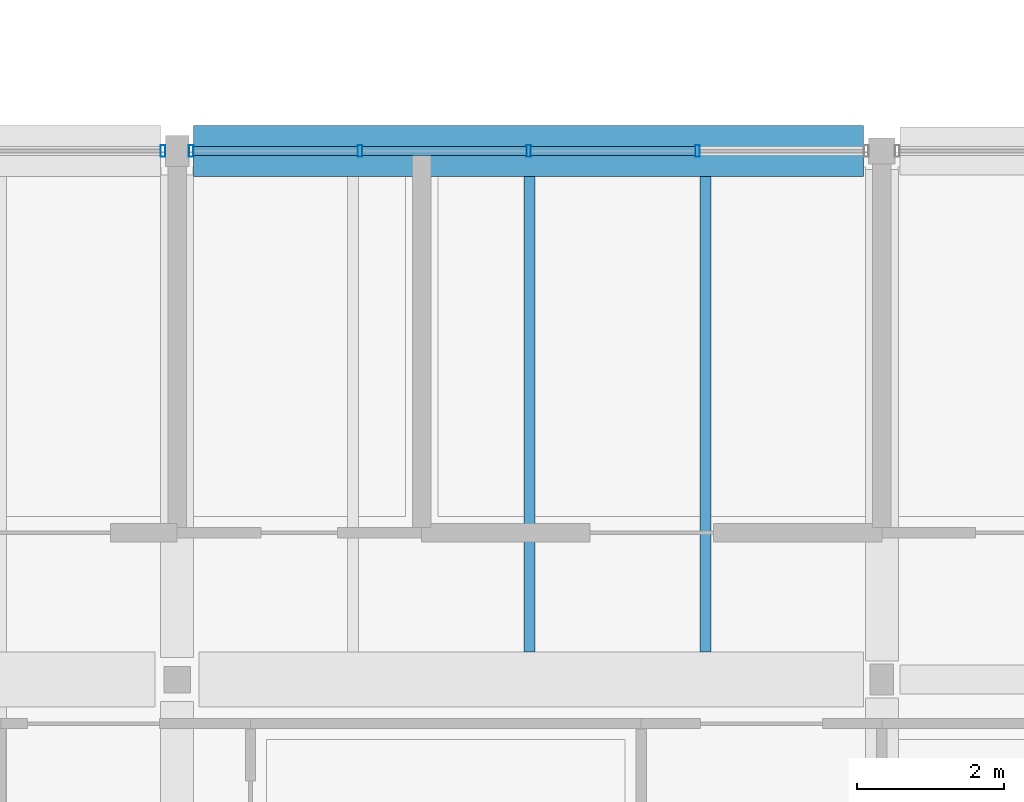
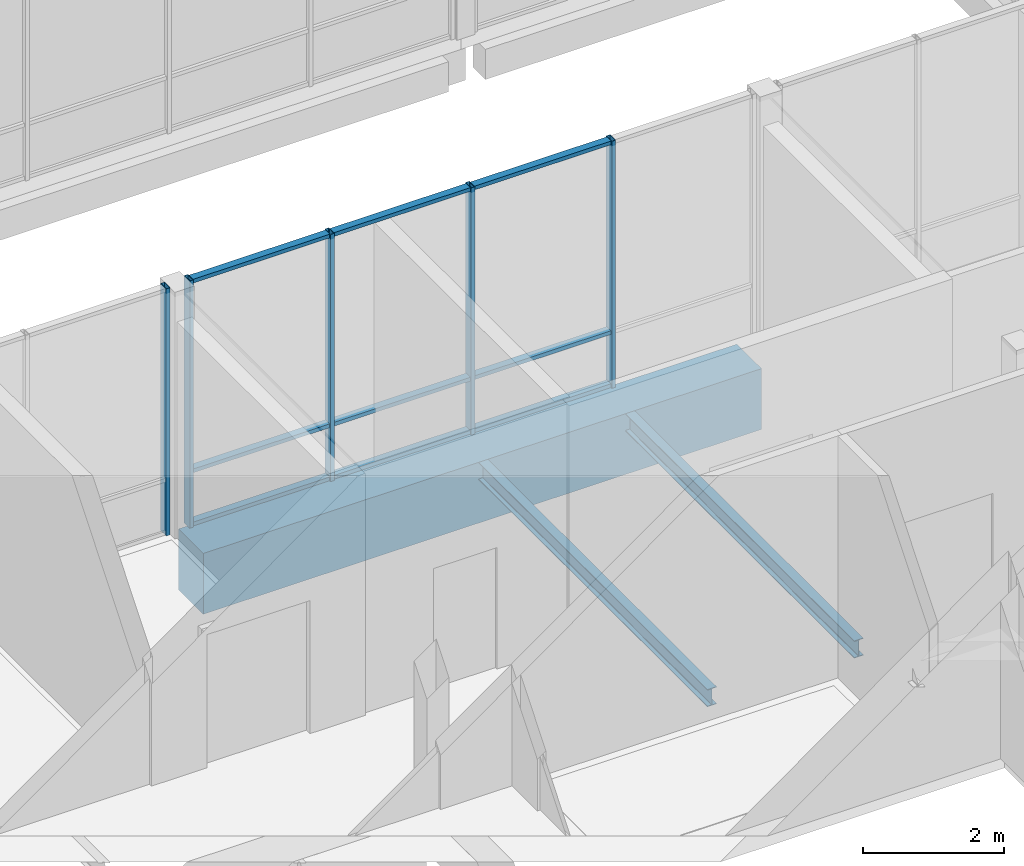
# One storey, part 63 of 146: 14 members, 3 beams, 2 elements without a shape of their own.
"""IFC4 building model written with IfcOpenShell, lengths in metres."""

from ifc_helpers import new_model, si_unit, direction, frame, origin, origin_2d, place, context, subcontext, project, spatial, rectangle, hollow_rectangle, i_section, extrude, material, material_profile, profile_set, type_object, element, aggregate, save


model = new_model("IFC4")

# Units and contexts
model_context = context("Model", 3, precision=1e-05, world=origin(), true_north=direction((0.0, 1.0)))
body_context = subcontext(model_context, "Body", "Model", "MODEL_VIEW")
ifc_project = project(units=[si_unit("LENGTHUNIT", "METRE"), si_unit("AREAUNIT", "SQUARE_METRE"), si_unit("VOLUMEUNIT", "CUBIC_METRE"), si_unit("PLANEANGLEUNIT", "RADIAN"), si_unit("MASSUNIT", "GRAM", prefix="KILO")], contexts=[model_context])

# Site, building, storey
site_placement = place(None, origin())
site = spatial("IfcSite", under=ifc_project, at=site_placement, CompositionType="ELEMENT")
building_placement = place(site_placement, origin())
building = spatial("IfcBuilding", under=site, at=building_placement, Name="Hawrajan Terrace Health Centre", CompositionType="ELEMENT")
storey_placement = place(building_placement, frame((0.0, 0.0, 4.5)))
storey = spatial("IfcBuildingStorey", under=building, at=storey_placement, Name="L01", CompositionType="ELEMENT", Elevation=4.5)

# Curtain wall, member
ifc_material_1 = material(Name="Anodized bronze aluminium and low-E solar glazing", Category="aluminium")
curtain_wall_type_1 = type_object("IfcCurtainWallType", Name="CW_Terrace_SeriesK1", PredefinedType="USERDEFINED", material=ifc_material_1)
curtain_wall_1_placement = place(storey_placement, origin())
curtain_wall_1 = element("IfcCurtainWall", 1, at=curtain_wall_1_placement, inside=storey, type_object=curtain_wall_type_1, Name="Curtain wall CW-L01-093", ObjectType="UNITISED CURTAIN WALL", PredefinedType="USERDEFINED")
ifc_material_2 = material(Name="Anodized bronze aluminium 6063-T6", Category="aluminium")
ifc_material_profile_1 = material_profile(ifc_material_2, hollow_rectangle(XDim=0.06494140625, YDim=0.159912109375, WallThickness=0.00390625, at=origin_2d()), Name="CW MUL 65x160")
ifc_profile_set_1 = profile_set([ifc_material_profile_1], Name="Anodized bronze aluminium 6063-T6")
member_type_1 = type_object("IfcMemberType", Name="CWMullion_65x160", PredefinedType="MULLION", material=ifc_profile_set_1)
member_1_placement = place(storey_placement, frame((90.8076171875, 18.60009765625, -0.0048828125), z_axis=(0.0, 0.0, 1.0), x_axis=(1.0, 0.0, 0.0)))
member_1 = element("IfcMember", 2, at=member_1_placement, type_object=member_type_1, Name="Mullion CW-L01-093-M5", PredefinedType="MULLION", context=body_context, shape_type="SweptSolid", body=[
    extrude(hollow_rectangle(XDim=0.06494140625, YDim=0.159912109375, WallThickness=0.00390625, at=origin_2d()), origin(), (0.0, 0.0, 1.0), 4.269775390625),
])
aggregate(curtain_wall_1, [member_1])

# Curtain wall, members
curtain_wall_type_2 = type_object("IfcCurtainWallType", Name="CW_Diagnostic_SeriesM2", PredefinedType="USERDEFINED", material=ifc_material_1)
curtain_wall_2_placement = place(storey_placement, origin())
curtain_wall_2 = element("IfcCurtainWall", 3, at=curtain_wall_2_placement, inside=storey, type_object=curtain_wall_type_2, Name="Curtain wall CW-L01-096", ObjectType="UNITISED CURTAIN WALL", PredefinedType="USERDEFINED")
member_2_placement = place(storey_placement, frame((91.1923828125, 18.60009765625, -0.0048828125), z_axis=(0.0, 0.0, 1.0), x_axis=(1.0, 0.0, 0.0)))
member_2 = element("IfcMember", 4, at=member_2_placement, type_object=member_type_1, Name="Mullion CW-L01-096-M1", PredefinedType="MULLION", context=body_context, shape_type="SweptSolid", body=[
    extrude(hollow_rectangle(XDim=0.06494140625, YDim=0.159912109375, WallThickness=0.00390625, at=origin_2d()), origin(), (0.0, 0.0, 1.0), 4.269775390625),
])
member_3_placement = place(storey_placement, frame((93.4912109375, 18.60009765625, -0.0048828125), z_axis=(0.0, 0.0, 1.0), x_axis=(1.0, 0.0, 0.0)))
member_3 = element("IfcMember", 5, at=member_3_placement, type_object=member_type_1, Name="Mullion CW-L01-096-M2", PredefinedType="MULLION", context=body_context, shape_type="SweptSolid", body=[
    extrude(hollow_rectangle(XDim=0.06494140625, YDim=0.159912109375, WallThickness=0.00390625, at=origin_2d()), origin(), (0.0, 0.0, 1.0), 4.269775390625),
])
member_4_placement = place(storey_placement, frame((95.7900390625, 18.60009765625, -0.0048828125), z_axis=(0.0, 0.0, 1.0), x_axis=(1.0, 0.0, 0.0)))
member_4 = element("IfcMember", 6, at=member_4_placement, type_object=member_type_1, Name="Mullion CW-L01-096-M3", PredefinedType="MULLION", context=body_context, shape_type="SweptSolid", body=[
    extrude(hollow_rectangle(XDim=0.06494140625, YDim=0.159912109375, WallThickness=0.00390625, at=origin_2d()), origin(), (0.0, 0.0, 1.0), 4.269775390625),
])
member_5_placement = place(storey_placement, frame((98.0888671875, 18.60009765625, -0.0048828125), z_axis=(0.0, 0.0, 1.0), x_axis=(1.0, 0.0, 0.0)))
member_5 = element("IfcMember", 7, at=member_5_placement, type_object=member_type_1, Name="Mullion CW-L01-096-M4", PredefinedType="MULLION", context=body_context, shape_type="SweptSolid", body=[
    extrude(hollow_rectangle(XDim=0.06494140625, YDim=0.159912109375, WallThickness=0.00390625, at=origin_2d()), origin(), (0.0, 0.0, 1.0), 4.269775390625),
])
ifc_material_profile_2 = material_profile(ifc_material_2, hollow_rectangle(XDim=0.06494140625, YDim=0.1201171875, WallThickness=0.00341796875, at=origin_2d()), Name="CW TRN 65x120")
ifc_profile_set_2 = profile_set([ifc_material_profile_2], Name="Anodized bronze aluminium 6063-T6")
member_type_2 = type_object("IfcMemberType", Name="CWTransom_65x120", PredefinedType="USERDEFINED", material=ifc_profile_set_2)
member_6_placement = place(storey_placement, frame((91.218994140625, 18.60009765625, 0.032470703125), z_axis=(1.0, 0.0, 0.0), x_axis=(0.0, 0.0, 1.0)))
member_6 = element("IfcMember", 8, at=member_6_placement, type_object=member_type_2, Name="Transom CW-L01-096-T1-1", ObjectType="TRANSOM", PredefinedType="USERDEFINED", context=body_context, shape_type="SweptSolid", body=[
    extrude(hollow_rectangle(XDim=0.06494140625, YDim=0.1201171875, WallThickness=0.00341796875, at=origin_2d()), origin(), (0.0, 0.0, 1.0), 2.24560546875),
])
member_7_placement = place(storey_placement, frame((91.218994140625, 18.60009765625, 0.949951171875), z_axis=(1.0, 0.0, 0.0), x_axis=(0.0, 0.0, 1.0)))
member_7 = element("IfcMember", 9, at=member_7_placement, type_object=member_type_2, Name="Transom CW-L01-096-T1-2", ObjectType="TRANSOM", PredefinedType="USERDEFINED", context=body_context, shape_type="SweptSolid", body=[
    extrude(hollow_rectangle(XDim=0.06494140625, YDim=0.1201171875, WallThickness=0.00341796875, at=origin_2d()), origin(), (0.0, 0.0, 1.0), 2.24560546875),
])
member_8_placement = place(storey_placement, frame((91.218994140625, 18.60009765625, 4.2275390625), z_axis=(1.0, 0.0, 0.0), x_axis=(0.0, 0.0, 1.0)))
member_8 = element("IfcMember", 10, at=member_8_placement, type_object=member_type_2, Name="Transom CW-L01-096-T1-3", ObjectType="TRANSOM", PredefinedType="USERDEFINED", context=body_context, shape_type="SweptSolid", body=[
    extrude(hollow_rectangle(XDim=0.06494140625, YDim=0.1201171875, WallThickness=0.00341796875, at=origin_2d()), origin(), (0.0, 0.0, 1.0), 2.24560546875),
])
member_9_placement = place(storey_placement, frame((93.517578125, 18.60009765625, 0.032470703125), z_axis=(1.0, 0.0, 0.0), x_axis=(0.0, 0.0, 1.0)))
member_9 = element("IfcMember", 11, at=member_9_placement, type_object=member_type_2, Name="Transom CW-L01-096-T2-1", ObjectType="TRANSOM", PredefinedType="USERDEFINED", context=body_context, shape_type="SweptSolid", body=[
    extrude(hollow_rectangle(XDim=0.06494140625, YDim=0.1201171875, WallThickness=0.00341796875, at=origin_2d()), origin(), (0.0, 0.0, 1.0), 2.245849609375),
])
member_10_placement = place(storey_placement, frame((93.517578125, 18.60009765625, 0.949951171875), z_axis=(1.0, 0.0, 0.0), x_axis=(0.0, 0.0, 1.0)))
member_10 = element("IfcMember", 12, at=member_10_placement, type_object=member_type_2, Name="Transom CW-L01-096-T2-2", ObjectType="TRANSOM", PredefinedType="USERDEFINED", context=body_context, shape_type="SweptSolid", body=[
    extrude(hollow_rectangle(XDim=0.06494140625, YDim=0.1201171875, WallThickness=0.00341796875, at=origin_2d()), origin(), (0.0, 0.0, 1.0), 2.245849609375),
])
member_11_placement = place(storey_placement, frame((93.517578125, 18.60009765625, 4.2275390625), z_axis=(1.0, 0.0, 0.0), x_axis=(0.0, 0.0, 1.0)))
member_11 = element("IfcMember", 13, at=member_11_placement, type_object=member_type_2, Name="Transom CW-L01-096-T2-3", ObjectType="TRANSOM", PredefinedType="USERDEFINED", context=body_context, shape_type="SweptSolid", body=[
    extrude(hollow_rectangle(XDim=0.06494140625, YDim=0.1201171875, WallThickness=0.00341796875, at=origin_2d()), origin(), (0.0, 0.0, 1.0), 2.245849609375),
])
member_12_placement = place(storey_placement, frame((95.81640625, 18.60009765625, 0.032470703125), z_axis=(1.0, 0.0, 0.0), x_axis=(0.0, 0.0, 1.0)))
member_12 = element("IfcMember", 14, at=member_12_placement, type_object=member_type_2, Name="Transom CW-L01-096-T3-1", ObjectType="TRANSOM", PredefinedType="USERDEFINED", context=body_context, shape_type="SweptSolid", body=[
    extrude(hollow_rectangle(XDim=0.06494140625, YDim=0.1201171875, WallThickness=0.00341796875, at=origin_2d()), origin(), (0.0, 0.0, 1.0), 2.245849609375),
])
member_13_placement = place(storey_placement, frame((95.81640625, 18.60009765625, 0.949951171875), z_axis=(1.0, 0.0, 0.0), x_axis=(0.0, 0.0, 1.0)))
member_13 = element("IfcMember", 15, at=member_13_placement, type_object=member_type_2, Name="Transom CW-L01-096-T3-2", ObjectType="TRANSOM", PredefinedType="USERDEFINED", context=body_context, shape_type="SweptSolid", body=[
    extrude(hollow_rectangle(XDim=0.06494140625, YDim=0.1201171875, WallThickness=0.00341796875, at=origin_2d()), origin(), (0.0, 0.0, 1.0), 2.245849609375),
])
member_14_placement = place(storey_placement, frame((95.81640625, 18.60009765625, 4.2275390625), z_axis=(1.0, 0.0, 0.0), x_axis=(0.0, 0.0, 1.0)))
member_14 = element("IfcMember", 16, at=member_14_placement, type_object=member_type_2, Name="Transom CW-L01-096-T3-3", ObjectType="TRANSOM", PredefinedType="USERDEFINED", context=body_context, shape_type="SweptSolid", body=[
    extrude(hollow_rectangle(XDim=0.06494140625, YDim=0.1201171875, WallThickness=0.00341796875, at=origin_2d()), origin(), (0.0, 0.0, 1.0), 2.245849609375),
])
aggregate(curtain_wall_2, [member_2, member_3, member_4, member_5, member_6, member_7, member_8, member_9, member_10, member_11, member_12, member_13, member_14])

# Beams
ifc_material_3 = material(Name="Concrete C40/50", Category="concrete")
ifc_material_profile_3 = material_profile(ifc_material_3, rectangle(XDim=0.699951171875, YDim=1.050048828125, at=origin_2d()), Name="RC TG 700x1050")
ifc_profile_set_3 = profile_set([ifc_material_profile_3], Name="Concrete C40/50")
beam_type_1 = type_object("IfcBeamType", Name="RCTransferGirder_700x1050", PredefinedType="BEAM", material=ifc_profile_set_3)
beam_placement = place(storey_placement, frame((91.22509765625, 18.60009765625, -0.824951171875), z_axis=(1.0, 0.0, 0.0), x_axis=(0.0, 1.0, 0.0)))
element("IfcBeam", 17, at=beam_placement, inside=storey, type_object=beam_type_1, Name="Beam BM-X-L01-C-12-Y3", PredefinedType="BEAM", context=body_context, shape_type="SweptSolid", body=[
    extrude(rectangle(XDim=0.699951171875, YDim=1.050048828125, at=origin_2d()), origin(), (0.0, 0.0, 1.0), 9.125),
])
ifc_material_4 = material(Name="Steel S355", Category="steel")
ifc_material_profile_4 = material_profile(ifc_material_4, i_section(OverallWidth=0.14990234375, OverallDepth=0.300048828125, WebThickness=0.007080078125, FlangeThickness=0.0107421875, FilletRadius=0.014892578125, at=origin_2d()), Name="IPE 300")
ifc_profile_set_4 = profile_set([ifc_material_profile_4], Name="Steel S355")
beam_type_2 = type_object("IfcBeamType", Name="SteelBeam_IPE300", PredefinedType="JOIST", material=ifc_profile_set_4)
for number, where, z_axis, x_axis, name in (
    (18, (95.800048828125, 11.77490234375, -0.449951171875), (0.0, 1.0, 0.0), (-1.0, 0.0, 0.0), "Secondary joist JST-L01-C-12-2-2"),
    (19, (98.199951171875, 11.77490234375, -0.449951171875), (0.0, 1.0, 0.0), (-1.0, 0.0, 0.0), "Secondary joist JST-L01-C-12-2-3"),
):
    element("IfcBeam", number, at=place(storey_placement, frame(where, z_axis=z_axis, x_axis=x_axis)), inside=storey, type_object=beam_type_2, Name=name, PredefinedType="JOIST", context=body_context, shape_type="SweptSolid", body=[
        extrude(i_section(OverallWidth=0.14990234375, OverallDepth=0.300048828125, WebThickness=0.007080078125, FlangeThickness=0.0107421875, FilletRadius=0.014892578125, at=origin_2d()), origin(), (0.0, 0.0, 1.0), 6.47509765625),
    ])

save(model, "model.ifc")
